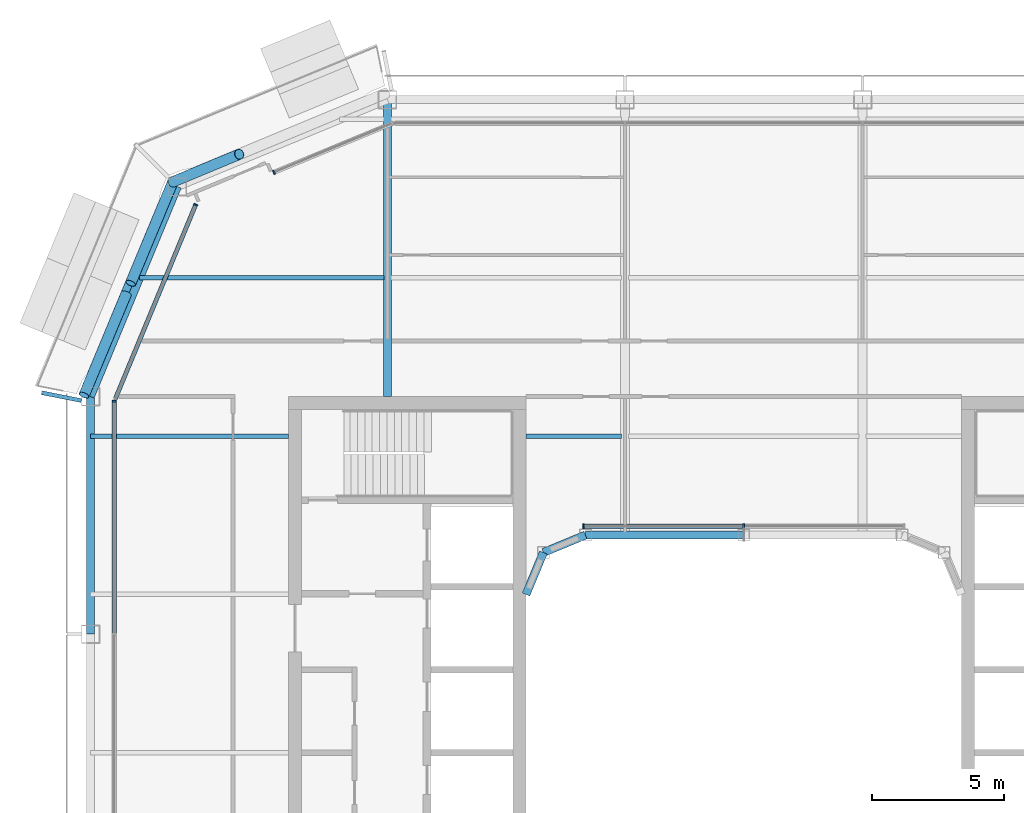
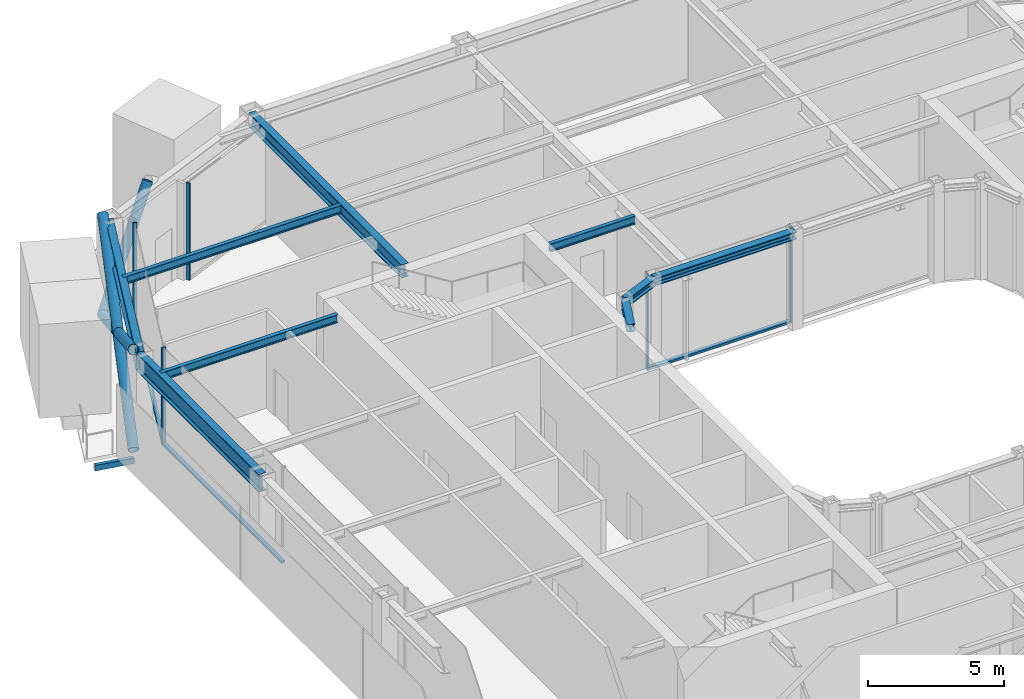
# One storey, part 7 of 22: 12 members, 10 beams, 4 elements without a shape of their own.
"""IFC4 building model written with IfcOpenShell, lengths in metres."""

from ifc_helpers import new_model, si_unit, direction, frame, origin, origin_2d, place, context, subcontext, project, spatial, rectangle, hollow_rectangle, hollow_circle, i_section, extrude, material, layer, layer_set, material_profile, profile_set, type_object, element, aggregate, save


model = new_model("IFC4")

# Units and contexts
model_context = context("Model", 3, precision=1e-05, world=origin(), true_north=direction((0.0, 1.0)))
body_context = subcontext(model_context, "Body", "Model", "MODEL_VIEW")
ifc_project = project(units=[si_unit("LENGTHUNIT", "METRE"), si_unit("AREAUNIT", "SQUARE_METRE"), si_unit("VOLUMEUNIT", "CUBIC_METRE"), si_unit("PLANEANGLEUNIT", "RADIAN"), si_unit("MASSUNIT", "GRAM", prefix="KILO")], contexts=[model_context])

# Site, building, storey
site_placement = place(None, origin())
site = spatial("IfcSite", under=ifc_project, at=site_placement, CompositionType="ELEMENT")
building_placement = place(site_placement, origin())
building = spatial("IfcBuilding", under=site, at=building_placement, Name="Siwar Civic Tower", CompositionType="ELEMENT")
storey_placement = place(building_placement, frame((0.0, 0.0, 330.199951171875)))
storey = spatial("IfcBuildingStorey", under=building, at=storey_placement, Name="L71", CompositionType="ELEMENT", Elevation=330.199951171875)

# Beam
ifc_material_1 = material(Name="Steel S355", Category="steel")
ifc_material_profile_1 = material_profile(ifc_material_1, hollow_rectangle(XDim=0.14990234375, YDim=0.25, WallThickness=0.010009765625, at=origin_2d()), Name="RHS250x150x10")
ifc_profile_set_1 = profile_set([ifc_material_profile_1], Name="Steel S355")
beam_type_1 = type_object("IfcBeamType", Name="ENV-BALCONY ARM", PredefinedType="BEAM", material=ifc_profile_set_1)
beam_1_placement = place(storey_placement, frame((-25.10009765625, 13.34521484375, -0.27490234375), z_axis=(-0.980778646446, 0.195123670207, 0.0), x_axis=(-0.195123670207, -0.980778646446, 0.0)))
element("IfcBeam", 1, at=beam_1_placement, inside=storey, type_object=beam_type_1, Name="Balcony cantilever beam NW 3", PredefinedType="BEAM", context=body_context, shape_type="SweptSolid", body=[
    extrude(hollow_rectangle(XDim=0.14990234375, YDim=0.25, WallThickness=0.010009765625, at=origin_2d()), origin(), (0.0, 0.0, 1.0), 1.513916015625),
])

# Curtain wall, member
ifc_material_2 = material(Name="Aluminium clad insulated panel", Category="aluminium")
ifc_layer_1 = layer(ifc_material_2, 0.159912109375)
ifc_layer_set_1 = layer_set([ifc_layer_1], Name="Aluminium clad insulated panel")
curtain_wall_type_1 = type_object("IfcCurtainWallType", Name="ENV-CW-DX", PredefinedType="NOTDEFINED", material=ifc_layer_set_1)
curtain_wall_1_placement = place(storey_placement, origin())
curtain_wall_1 = element("IfcCurtainWall", 2, at=curtain_wall_1_placement, inside=storey, type_object=curtain_wall_type_1, Name="Curtain wall D NW1", PredefinedType="NOTDEFINED")
ifc_material_3 = material(Name="Aluminium 6063-T6", Category="aluminium")
ifc_material_profile_2 = material_profile(ifc_material_3, rectangle(XDim=0.159912109375, YDim=0.06005859375, at=origin_2d()), Name="AL 160x60")
ifc_profile_set_2 = profile_set([ifc_material_profile_2], Name="Aluminium 6063-T6")
member_type_1 = type_object("IfcMemberType", Name="ENV-MULLION-D", PredefinedType="MULLION", material=ifc_profile_set_2)
member_1_placement = place(storey_placement, frame((-17.799072265625, 21.9951171875, 0.0), z_axis=(0.0, 0.0, 1.0), x_axis=(0.382683432365, -0.923879532511, 0.0)))
member_1 = element("IfcMember", 3, at=member_1_placement, type_object=member_type_1, Name="Mullion D NW1 2", PredefinedType="MULLION", context=body_context, shape_type="SweptSolid", body=[
    extrude(rectangle(XDim=0.159912109375, YDim=0.06005859375, at=origin_2d()), origin(), (0.0, 0.0, 1.0), 4.35009765625),
])
aggregate(curtain_wall_1, [member_1])

curtain_wall_2_placement = place(storey_placement, origin())
curtain_wall_2 = element("IfcCurtainWall", 4, at=curtain_wall_2_placement, inside=storey, type_object=curtain_wall_type_1, Name="Curtain wall D NW2", PredefinedType="NOTDEFINED")
member_2_placement = place(storey_placement, frame((-20.76611328125, 20.76611328125, 0.0), z_axis=(0.0, 0.0, 1.0), x_axis=(0.923879532511, -0.382683432365, 0.0)))
member_2 = element("IfcMember", 5, at=member_2_placement, type_object=member_type_1, Name="Mullion D NW2 1", PredefinedType="MULLION", context=body_context, shape_type="SweptSolid", body=[
    extrude(rectangle(XDim=0.159912109375, YDim=0.06005859375, at=origin_2d()), origin(), (0.0, 0.0, 1.0), 4.35009765625),
])

ifc_material_4 = material(Name="Aluminium and glass", Category="aluminium")
ifc_layer_2 = layer(ifc_material_4, 0.159912109375)
ifc_layer_set_2 = layer_set([ifc_layer_2], Name="Aluminium and glass")
curtain_wall_type_2 = type_object("IfcCurtainWallType", Name="ENV-CW-D", PredefinedType="NOTDEFINED", material=ifc_layer_set_2)
curtain_wall_3_placement = place(storey_placement, origin())
curtain_wall_3 = element("IfcCurtainWall", 6, at=curtain_wall_3_placement, inside=storey, type_object=curtain_wall_type_2, Name="Curtain wall D W", PredefinedType="NOTDEFINED")
member_3_placement = place(storey_placement, frame((-23.85009765625, 13.321044921875, 0.0), z_axis=(0.0, 0.0, 1.0), x_axis=(1.0, 0.0, 0.0)))
member_3 = element("IfcMember", 7, at=member_3_placement, type_object=member_type_1, Name="Mullion D W 1", PredefinedType="MULLION", context=body_context, shape_type="SweptSolid", body=[
    extrude(rectangle(XDim=0.159912109375, YDim=0.06005859375, at=origin_2d()), origin(), (0.0, 0.0, 1.0), 4.35009765625),
])

# Curtain wall, members
ifc_material_5 = material(Name="Aluminium and glass", Category="aluminium")
ifc_layer_3 = layer(ifc_material_5, 0.179931640625)
ifc_layer_set_3 = layer_set([ifc_layer_3], Name="Aluminium and glass")
curtain_wall_type_3 = type_object("IfcCurtainWallType", Name="ENV-CW-W", PredefinedType="NOTDEFINED", material=ifc_layer_set_3)
curtain_wall_4_placement = place(storey_placement, origin())
curtain_wall_4 = element("IfcCurtainWall", 8, at=curtain_wall_4_placement, inside=storey, type_object=curtain_wall_type_3, Name="Curtain wall W WN", PredefinedType="NOTDEFINED")
ifc_material_6 = material(Name="Aluminium 6063-T6", Category="aluminium")
ifc_material_profile_3 = material_profile(ifc_material_6, rectangle(XDim=0.179931640625, YDim=0.06005859375, at=origin_2d()), Name="AL 180x60")
ifc_profile_set_3 = profile_set([ifc_material_profile_3], Name="Aluminium 6063-T6")
member_type_2 = type_object("IfcMemberType", Name="ENV-MULLION-W", PredefinedType="MULLION", material=ifc_profile_set_3)
member_4_placement = place(storey_placement, frame((0.0, 8.5849609375, 0.0), z_axis=(0.0, 0.0, 1.0), x_axis=(0.0, -1.0, 0.0)))
member_4 = element("IfcMember", 9, at=member_4_placement, type_object=member_type_2, Name="Mullion W WN 2", PredefinedType="MULLION", context=body_context, shape_type="SweptSolid", body=[
    extrude(rectangle(XDim=0.179931640625, YDim=0.06005859375, at=origin_2d()), origin(), (0.0, 0.0, 1.0), 4.35009765625),
])
member_5_placement = place(storey_placement, frame((-6.066650390625, 8.5849609375, 0.0), z_axis=(0.0, 0.0, 1.0), x_axis=(0.0, -1.0, 0.0)))
member_5 = element("IfcMember", 10, at=member_5_placement, type_object=member_type_2, Name="Mullion W WN 3", PredefinedType="MULLION", context=body_context, shape_type="SweptSolid", body=[
    extrude(rectangle(XDim=0.179931640625, YDim=0.06005859375, at=origin_2d()), origin(), (0.0, 0.0, 1.0), 4.35009765625),
])

# Member
ifc_material_7 = material(Name="Aluminium 6063-T6", Category="aluminium")
ifc_material_profile_4 = material_profile(ifc_material_7, rectangle(XDim=0.159912109375, YDim=0.10009765625, at=origin_2d()), Name="AL 160x100")
ifc_profile_set_4 = profile_set([ifc_material_profile_4], Name="Aluminium 6063-T6")
member_type_3 = type_object("IfcMemberType", Name="ENV-TRANSOM-D", PredefinedType="USERDEFINED", material=ifc_profile_set_4)
member_6_placement = place(storey_placement, frame((-20.777587890625, 20.738525390625, 0.050048828125), z_axis=(-0.382673515031, -0.923883640343, 0.0), x_axis=(0.923883640343, -0.382673515031, 0.0)))
member_6 = element("IfcMember", 11, at=member_6_placement, type_object=member_type_3, Name="Transom D NW2 1", ObjectType="TRANSOM", PredefinedType="USERDEFINED", context=body_context, shape_type="SweptSolid", body=[
    extrude(rectangle(XDim=0.159912109375, YDim=0.10009765625, at=origin_2d()), origin(), (0.0, 0.0, 1.0), 7.930908203125),
])

aggregate(curtain_wall_2, [member_2, member_6])

member_7_placement = place(storey_placement, frame((-23.85009765625, 13.291015625, 0.050048828125), z_axis=(0.0, -1.0, 0.0), x_axis=(1.0, 0.0, 0.0)))
member_7 = element("IfcMember", 12, at=member_7_placement, type_object=member_type_3, Name="Transom D W 1", ObjectType="TRANSOM", PredefinedType="USERDEFINED", context=body_context, shape_type="SweptSolid", body=[
    extrude(rectangle(XDim=0.159912109375, YDim=0.10009765625, at=origin_2d()), origin(), (0.0, 0.0, 1.0), 8.760986328125),
])

aggregate(curtain_wall_3, [member_3, member_7])

ifc_material_8 = material(Name="Aluminium 6063-T6", Category="aluminium")
ifc_material_profile_5 = material_profile(ifc_material_8, rectangle(XDim=0.179931640625, YDim=0.10009765625, at=origin_2d()), Name="AL 180x100")
ifc_profile_set_5 = profile_set([ifc_material_profile_5], Name="Aluminium 6063-T6")
member_type_4 = type_object("IfcMemberType", Name="ENV-TRANSOM-W", PredefinedType="USERDEFINED", material=ifc_profile_set_5)
member_8_placement = place(storey_placement, frame((-0.030029296875, 8.5849609375, 0.050048828125), z_axis=(-1.0, 0.0, 0.0), x_axis=(0.0, -1.0, 0.0)))
member_8 = element("IfcMember", 13, at=member_8_placement, type_object=member_type_4, Name="Transom W WN 2", ObjectType="TRANSOM", PredefinedType="USERDEFINED", context=body_context, shape_type="SweptSolid", body=[
    extrude(rectangle(XDim=0.179931640625, YDim=0.10009765625, at=origin_2d()), origin(), (0.0, 0.0, 1.0), 6.006591796875),
])

aggregate(curtain_wall_4, [member_4, member_5, member_8])

# Members
ifc_material_9 = material(Name="Steel S355", Category="steel")
ifc_material_profile_6 = material_profile(ifc_material_9, hollow_circle(Radius=0.203125, WallThickness=0.01611328125, at=origin_2d()), Name="CHS406.4x16")
ifc_profile_set_6 = profile_set([ifc_material_profile_6], Name="Steel S355")
member_type_5 = type_object("IfcMemberType", Name="STR-BR-CHS406.4x16", PredefinedType="BRACE", material=ifc_profile_set_6)
member_9_placement = place(storey_placement, frame((-24.9951171875, 13.548828125, 0.0), z_axis=(0.341671493852, 0.821142553604, 0.457149315816), x_axis=(-0.923264922524, 0.384163874976, 0.0)))
element("IfcMember", 14, at=member_9_placement, inside=storey, type_object=member_type_5, Name="L71/brc/DNW1-10-0-1", PredefinedType="BRACE", context=body_context, shape_type="SweptSolid", body=[
    extrude(hollow_circle(Radius=0.203125, WallThickness=0.01611328125, at=origin_2d()), origin(), (0.0, 0.0, 1.0), 9.843505859375),
])
member_10_placement = place(storey_placement, frame((-21.6318359375, 21.6318359375, 0.0), z_axis=(-0.341644380467, -0.821147096886, 0.457161418507), x_axis=(0.923276488787, -0.38413607648, 0.0)))
element("IfcMember", 15, at=member_10_placement, inside=storey, type_object=member_type_5, Name="L71/brc/DNW1-10-0-2", PredefinedType="BRACE", context=body_context, shape_type="SweptSolid", body=[
    extrude(hollow_circle(Radius=0.203125, WallThickness=0.01611328125, at=origin_2d()), origin(), (0.0, 0.0, 1.0), 4.677001953125),
])
member_11_placement = place(storey_placement, frame((-23.397216796875, 17.38916015625, 2.362060546875), z_axis=(-0.341667178655, -0.821149689876, 0.457139722456), x_axis=(0.923267827529, -0.384156893273, 0.0)))
element("IfcMember", 16, at=member_11_placement, inside=storey, type_object=member_type_5, Name="L71/brc/DNW1-10-0-3", PredefinedType="BRACE", context=body_context, shape_type="SweptSolid", body=[
    extrude(hollow_circle(Radius=0.203125, WallThickness=0.01611328125, at=origin_2d()), origin(), (0.0, 0.0, 1.0), 4.6767578125),
])
member_12_placement = place(storey_placement, frame((-21.6318359375, 21.6318359375, 0.0), z_axis=(0.478099094869, 0.198925611165, 0.855482236349), x_axis=(-0.384150749045, 0.92327038402, 0.0)))
element("IfcMember", 17, at=member_12_placement, inside=storey, type_object=member_type_5, Name="L71/brc/DNW1-10-0-6", PredefinedType="BRACE", context=body_context, shape_type="SweptSolid", body=[
    extrude(hollow_circle(Radius=0.203125, WallThickness=0.01611328125, at=origin_2d()), origin(), (0.0, 0.0, 1.0), 5.26025390625),
])

# Beams
ifc_material_10 = material(Name="Steel S355", Category="steel")
ifc_material_profile_7 = material_profile(ifc_material_10, i_section(OverallWidth=0.169921875, OverallDepth=0.360107421875, WebThickness=0.008056640625, FlangeThickness=0.0126953125, FilletRadius=0.01806640625, at=origin_2d()), Name="IPE360")
ifc_profile_set_7 = profile_set([ifc_material_profile_7], Name="Steel S355")
beam_type_2 = type_object("IfcBeamType", Name="STR-FB-IPE360", PredefinedType="JOIST", material=ifc_profile_set_7)
beam_2_placement = place(storey_placement, frame((-24.75, 12.0, 4.170166015625), z_axis=(1.0, 0.0, 0.0), x_axis=(0.0, 1.0, 0.0)))
element("IfcBeam", 18, at=beam_2_placement, inside=storey, type_object=beam_type_2, Name="L71/bm/F022", PredefinedType="JOIST", context=body_context, shape_type="SweptSolid", body=[
    extrude(i_section(OverallWidth=0.169921875, OverallDepth=0.360107421875, WebThickness=0.008056640625, FlangeThickness=0.0126953125, FilletRadius=0.01806640625, at=origin_2d()), origin(), (0.0, 0.0, 1.0), 7.5),
])
beam_3_placement = place(storey_placement, frame((-8.25, 12.0, 4.170166015625), z_axis=(1.0, 0.0, 0.0), x_axis=(0.0, 1.0, 0.0)))
element("IfcBeam", 19, at=beam_3_placement, inside=storey, type_object=beam_type_2, Name="L71/bm/F023", PredefinedType="JOIST", context=body_context, shape_type="SweptSolid", body=[
    extrude(i_section(OverallWidth=0.169921875, OverallDepth=0.360107421875, WebThickness=0.008056640625, FlangeThickness=0.0126953125, FilletRadius=0.01806640625, at=origin_2d()), origin(), (0.0, 0.0, 1.0), 3.6201171875),
])
beam_4_placement = place(storey_placement, frame((-22.885986328125, 18.0, 4.170166015625), z_axis=(1.0, 0.0, 0.0), x_axis=(0.0, 1.0, 0.0)))
element("IfcBeam", 20, at=beam_4_placement, inside=storey, type_object=beam_type_2, Name="L71/bm/F027", PredefinedType="JOIST", context=body_context, shape_type="SweptSolid", body=[
    extrude(i_section(OverallWidth=0.169921875, OverallDepth=0.360107421875, WebThickness=0.008056640625, FlangeThickness=0.0126953125, FilletRadius=0.01806640625, at=origin_2d()), origin(), (0.0, 0.0, 1.0), 9.256103515625),
])
ifc_material_11 = material(Name="Steel S355", Category="steel")
ifc_material_profile_8 = material_profile(ifc_material_11, i_section(OverallWidth=0.300048828125, OverallDepth=0.60009765625, WebThickness=0.015380859375, FlangeThickness=0.030029296875, FilletRadius=0.027099609375, at=origin_2d()), Name="HEB600")
ifc_profile_set_8 = profile_set([ifc_material_profile_8], Name="Steel S355")
beam_type_3 = type_object("IfcBeamType", Name="STR-PG-HEB600", PredefinedType="BEAM", material=ifc_profile_set_8)
beam_5_placement = place(storey_placement, frame((-13.5, 13.5, 4.050048828125), z_axis=(0.0, 1.0, 0.0), x_axis=(-1.0, 0.0, 0.0)))
element("IfcBeam", 21, at=beam_5_placement, inside=storey, type_object=beam_type_3, Name="L71/bm/G02", PredefinedType="BEAM", context=body_context, shape_type="SweptSolid", body=[
    extrude(i_section(OverallWidth=0.300048828125, OverallDepth=0.60009765625, WebThickness=0.015380859375, FlangeThickness=0.030029296875, FilletRadius=0.027099609375, at=origin_2d()), origin(), (0.0, 0.0, 1.0), 11.25),
])
ifc_material_12 = material(Name="Steel S355", Category="steel")
ifc_material_profile_9 = material_profile(ifc_material_12, i_section(OverallWidth=0.31005859375, OverallDepth=0.340087890625, WebThickness=0.02099609375, FlangeThickness=0.0390625, FilletRadius=0.027099609375, at=origin_2d()), Name="HEM300")
ifc_profile_set_9 = profile_set([ifc_material_profile_9], Name="Steel S355")
beam_type_4 = type_object("IfcBeamType", Name="STR-RB-HEM300", PredefinedType="BEAM", material=ifc_profile_set_9)
beam_6_placement = place(storey_placement, frame((-7.591064453125, 7.591064453125, 4.179931640625), z_axis=(0.923901072997, 0.382631424892, 0.0), x_axis=(-0.382631424892, 0.923901072997, 0.0)))
element("IfcBeam", 22, at=beam_6_placement, inside=storey, type_object=beam_type_4, Name="L71/bm/RN0", PredefinedType="BEAM", context=body_context, shape_type="SweptSolid", body=[
    extrude(i_section(OverallWidth=0.31005859375, OverallDepth=0.340087890625, WebThickness=0.02099609375, FlangeThickness=0.0390625, FilletRadius=0.027099609375, at=origin_2d()), origin(), (0.0, 0.0, 1.0), 1.72216796875),
])
beam_7_placement = place(storey_placement, frame((-6.0, 8.25, 4.179931640625), z_axis=(1.0, 0.0, 0.0), x_axis=(0.0, 1.0, 0.0)))
element("IfcBeam", 23, at=beam_7_placement, inside=storey, type_object=beam_type_4, Name="L71/bm/RN1", PredefinedType="BEAM", context=body_context, shape_type="SweptSolid", body=[
    extrude(i_section(OverallWidth=0.31005859375, OverallDepth=0.340087890625, WebThickness=0.02099609375, FlangeThickness=0.0390625, FilletRadius=0.027099609375, at=origin_2d()), origin(), (0.0, 0.0, 1.0), 6.0),
])
beam_8_placement = place(storey_placement, frame((-7.591064453125, 7.591064453125, 4.179931640625), z_axis=(-0.382631424892, -0.923901072997, 0.0), x_axis=(0.923901072997, -0.382631424892, 0.0)))
element("IfcBeam", 24, at=beam_8_placement, inside=storey, type_object=beam_type_4, Name="L71/bm/RNEW", PredefinedType="BEAM", context=body_context, shape_type="SweptSolid", body=[
    extrude(i_section(OverallWidth=0.31005859375, OverallDepth=0.340087890625, WebThickness=0.02099609375, FlangeThickness=0.0390625, FilletRadius=0.027099609375, at=origin_2d()), origin(), (0.0, 0.0, 1.0), 1.72216796875),
])
ifc_material_13 = material(Name="Steel S355", Category="steel")
ifc_material_profile_10 = material_profile(ifc_material_13, i_section(OverallWidth=0.300048828125, OverallDepth=0.800048828125, WebThickness=0.017578125, FlangeThickness=0.032958984375, FilletRadius=0.030029296875, at=origin_2d()), Name="HEB800")
ifc_profile_set_10 = profile_set([ifc_material_profile_10], Name="Steel S355")
beam_type_5 = type_object("IfcBeamType", Name="STR-SB-HEB800", PredefinedType="BEAM", material=ifc_profile_set_10)
beam_9_placement = place(storey_placement, frame((-21.454833984375, 21.454833984375, 3.949951171875), z_axis=(-0.382699877515, -0.923872720536, 0.0), x_axis=(0.923872720536, -0.382699877515, 0.0)))
element("IfcBeam", 25, at=beam_9_placement, inside=storey, type_object=beam_type_5, Name="L71/bm/SNW2-0", PredefinedType="BEAM", context=body_context, shape_type="SweptSolid", body=[
    extrude(i_section(OverallWidth=0.300048828125, OverallDepth=0.800048828125, WebThickness=0.017578125, FlangeThickness=0.032958984375, FilletRadius=0.030029296875, at=origin_2d()), origin(), (0.0, 0.0, 1.0), 8.6103515625),
])
beam_10_placement = place(storey_placement, frame((-24.75, 13.5, 3.949951171875), z_axis=(0.0, -1.0, 0.0), x_axis=(1.0, 0.0, 0.0)))
element("IfcBeam", 26, at=beam_10_placement, inside=storey, type_object=beam_type_5, Name="L71/bm/SW-0", PredefinedType="BEAM", context=body_context, shape_type="SweptSolid", body=[
    extrude(i_section(OverallWidth=0.300048828125, OverallDepth=0.800048828125, WebThickness=0.017578125, FlangeThickness=0.032958984375, FilletRadius=0.030029296875, at=origin_2d()), origin(), (0.0, 0.0, 1.0), 9.0),
])

save(model, "model.ifc")
